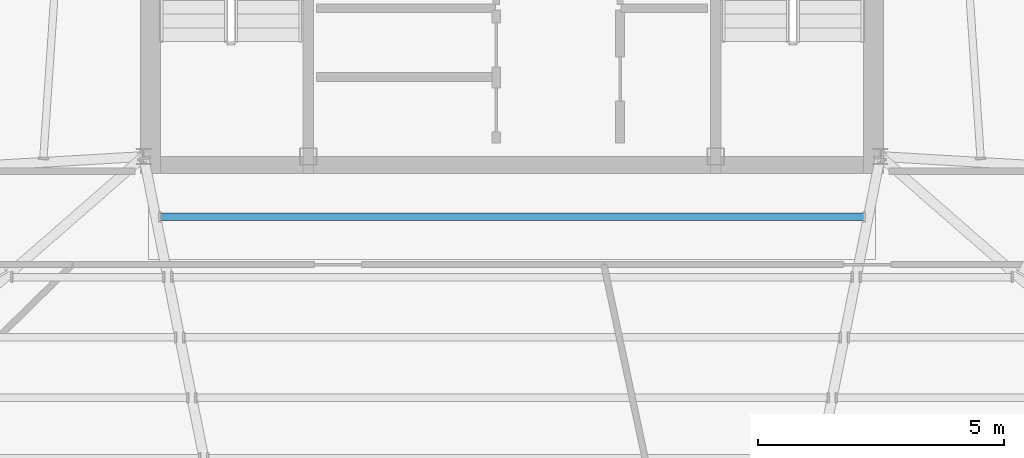
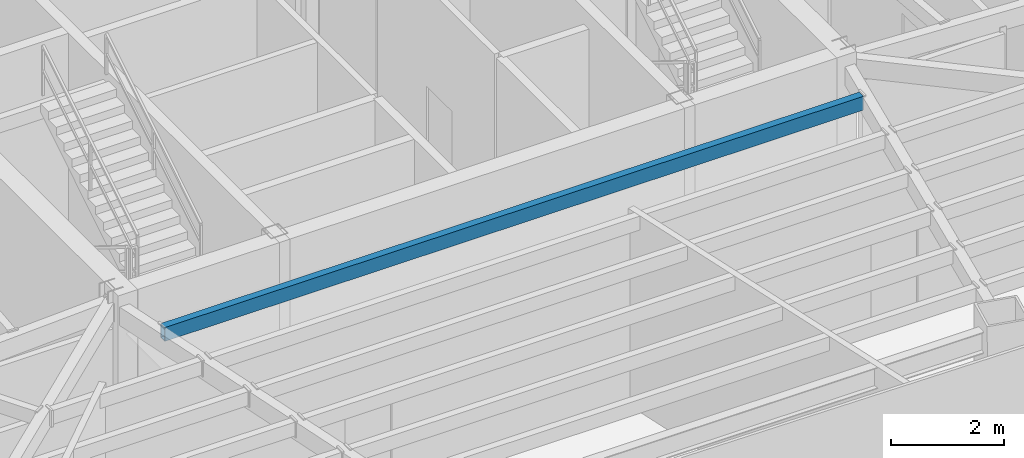
# One storey, part 10 of 37: 1 beam.
"""IFC4 building model written with IfcOpenShell, lengths in metres."""

from ifc_helpers import new_model, si_unit, direction, frame, origin, origin_2d, place, context, subcontext, project, spatial, hollow_rectangle, extrude, source, transform, mapped, material, material_profile, profile_set, type_object, type_shapes, element, save


model = new_model("IFC4")

# Units and contexts
model_context = context("Model", 3, precision=1e-05, world=origin(), true_north=direction((0.0, 1.0)))
body_context = subcontext(model_context, "Body", "Model", "MODEL_VIEW")
ifc_project = project(units=[si_unit("LENGTHUNIT", "METRE"), si_unit("AREAUNIT", "SQUARE_METRE"), si_unit("VOLUMEUNIT", "CUBIC_METRE"), si_unit("PLANEANGLEUNIT", "RADIAN"), si_unit("MASSUNIT", "GRAM", prefix="KILO")], contexts=[model_context])

# Site, building, storey
site_placement = place(None, origin())
site = spatial("IfcSite", under=ifc_project, at=site_placement, CompositionType="ELEMENT")
building_placement = place(site_placement, origin())
building = spatial("IfcBuilding", under=site, at=building_placement, Name="Caelisora Broadcast Tower", CompositionType="ELEMENT")
storey_placement = place(building_placement, frame((0.0, 0.0, 225.35009765625)))
storey = spatial("IfcBuildingStorey", under=building, at=storey_placement, Name="L59", CompositionType="ELEMENT", Elevation=225.35009765625)

# Beam
ifc_material = material(Name="Steel Grade 350 (AS/NZS 1163 C350L0)", Category="steel")
ifc_material_profile = material_profile(ifc_material, hollow_rectangle(XDim=0.14990234375, YDim=0.300048828125, WallThickness=0.010009765625, at=origin_2d()), Name="Steel Grade 350 (AS/NZS 1163 C350L0)")
ifc_profile_set = profile_set([ifc_material_profile], Name="Steel Grade 350 (AS/NZS 1163 C350L0)")
beam_type = type_object("IfcBeamType", Name="SB05", PredefinedType="JOIST", material=ifc_profile_set)
shared_shape = source(origin(), body_context, "Body", "SweptSolid", [
    extrude(hollow_rectangle(XDim=0.14990234375, YDim=0.300048828125, WallThickness=0.010009765625, at=origin_2d()), origin(), (0.0, 0.0, 1.0), 14.31201171875),
])
type_shapes(beam_type, [shared_shape])
beam_placement = place(storey_placement, frame((30.843994140625, 16.17236328125, 4.099853515625), z_axis=(1.0, 0.0, 0.0), x_axis=(0.0, 1.0, 0.0)))
element("IfcBeam", 1, at=beam_placement, inside=storey, type_object=beam_type, Name="L59 beam SB05", PredefinedType="JOIST", context=body_context, shape_type="MappedRepresentation", body=[
    mapped(shared_shape, transform((0.0, 0.0, 0.0), scale=1.0)),
])

save(model, "model.ifc")
